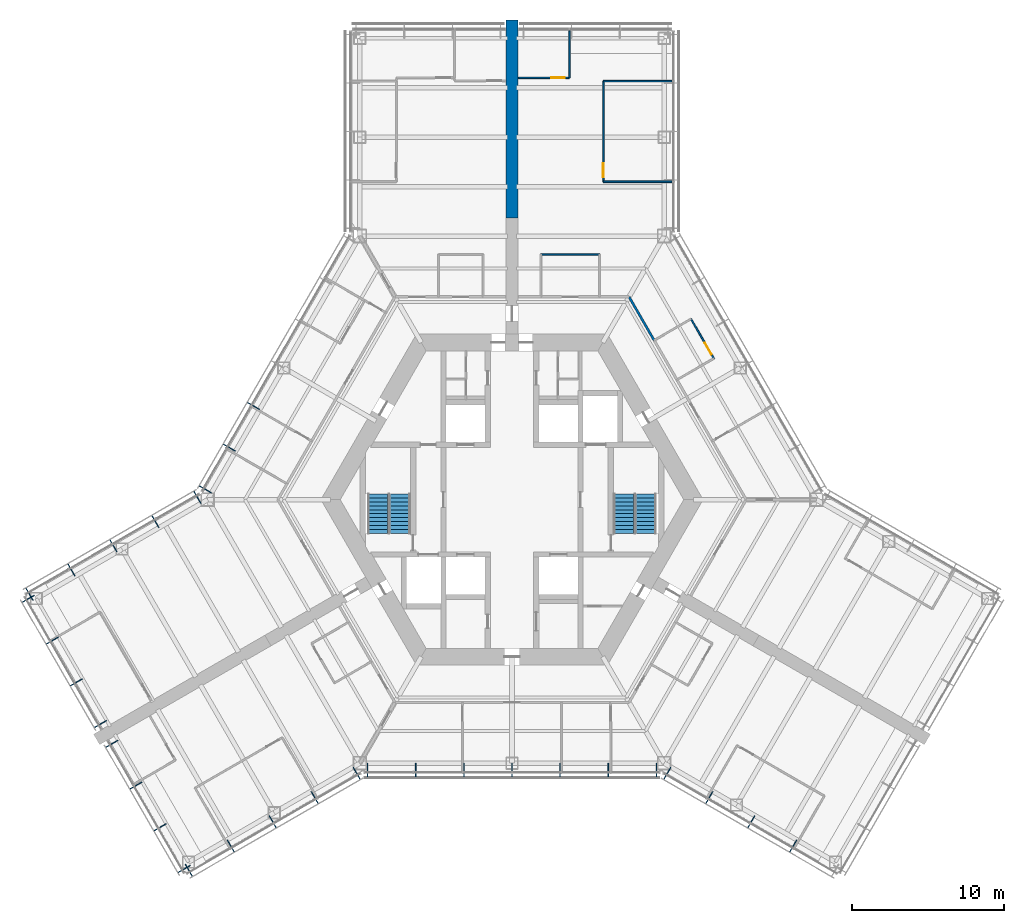
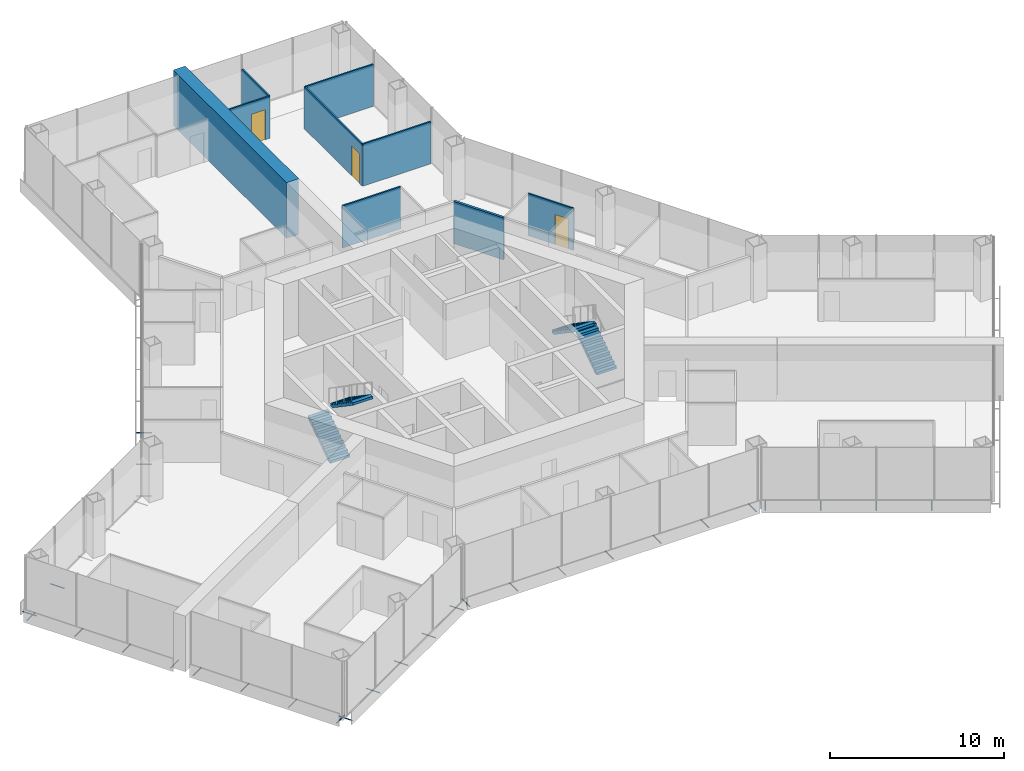
# One storey, part 16 of 19: 32 discrete accessories, 9 walls, 4 stair flights, 3 doors, 3 openings, 2 elements without a shape of their own.
"""IFC4 building model written with IfcOpenShell, lengths in metres."""

from ifc_helpers import new_model, si_unit, direction, frame, frame_2d, origin, origin_2d, place, context, subcontext, project, spatial, polyline, rectangle, hollow_circle, outline, extrude, material, layer, layer_set, material_profile, profile_set, type_object, element, fill, aggregate, save


model = new_model("IFC4")

# Units and contexts
model_context = context("Model", 3, precision=1e-05, world=origin(), true_north=direction((0.0, 1.0)))
body_context = subcontext(model_context, "Body", "Model", "MODEL_VIEW")
ifc_project = project(units=[si_unit("LENGTHUNIT", "METRE"), si_unit("AREAUNIT", "SQUARE_METRE"), si_unit("VOLUMEUNIT", "CUBIC_METRE"), si_unit("PLANEANGLEUNIT", "RADIAN"), si_unit("MASSUNIT", "GRAM", prefix="KILO")], contexts=[model_context])

# Site, building, storey
site_placement = place(None, origin())
site = spatial("IfcSite", under=ifc_project, at=site_placement, CompositionType="ELEMENT")
building_placement = place(site_placement, origin())
building = spatial("IfcBuilding", under=site, at=building_placement, Name="Kasaneha Research Tower", CompositionType="ELEMENT")
storey_placement = place(building_placement, frame((0.0, 0.0, 92.39990234375)))
storey = spatial("IfcBuildingStorey", under=building, at=storey_placement, Name="L23", CompositionType="ELEMENT", Elevation=92.39990234375)

# Wall
ifc_material_1 = material(Name="Gypsum board on steel studs, one layer each side", Category="steel")
ifc_layer_1 = layer(ifc_material_1, 0.10009765625)
ifc_layer_set_1 = layer_set([ifc_layer_1], Name="Office partition 100")
wall_type_1 = type_object("IfcWallType", Name="Office partition 100", PredefinedType="PARTITIONING", material=ifc_layer_set_1)
wall_1_placement = place(storey_placement, frame((1.89990234375, 16.125, 0.0), z_axis=(0.0, 0.0, 1.0), x_axis=(1.0, 0.0, 0.0)))
element("IfcWall", 1, at=wall_1_placement, inside=storey, type_object=wall_type_1, Name="Office partition FAE08 L23", PredefinedType="PARTITIONING", context=body_context, shape_type="SweptSolid", body=[
    extrude(rectangle(XDim=3.857177734375, YDim=0.10009765625, at=frame_2d((1.9287109375, 0.0))), origin(), (0.0, 0.0, 1.0), 2.9501953125),
])

# Wall, opening, door
wall_2_placement = place(storey_placement, frame((11.7646484375, 11.873046875, 0.0), z_axis=(0.0, 0.0, 1.0), x_axis=(0.499990139034, -0.866031096941, 0.0)))
wall_2 = element("IfcWall", 2, at=wall_2_placement, inside=storey, type_object=wall_type_1, Name="Office partition FAE12 L23", PredefinedType="PARTITIONING", context=body_context, shape_type="SweptSolid", body=[
    extrude(rectangle(XDim=3.0, YDim=0.10009765625, at=frame_2d((1.5, 0.0))), origin(), (0.0, 0.0, 1.0), 2.9501953125),
])
opening_1_placement = place(wall_2_placement, frame((1.800048828125, 0.0, 0.0)))
opening_1 = element("IfcOpeningElement", 3, at=opening_1_placement, cuts=wall_2, Name="Opening L23-D30", PredefinedType="OPENING", context=body_context, shape_type="SweptSolid", body=[
    extrude(rectangle(XDim=0.89990234375, YDim=2.10009765625, at=frame_2d((0.449951171875, 1.050048828125))), frame((0.0, 0.06005859375, 0.0), z_axis=(0.0, -1.0, 0.0), x_axis=(1.0, 0.0, 0.0)), (0.0, 0.0, 1.0), 0.1201171875),
])
ifc_material_2 = material(Name="Timber veneer", Category="wood")
door_type = type_object("IfcDoorType", Name="Office door 900x2100", OperationType="SINGLE_SWING_LEFT", PredefinedType="DOOR", material=ifc_material_2)
door_1_placement = place(opening_1_placement, origin())
door_1 = element("IfcDoor", 4, at=door_1_placement, inside=storey, type_object=door_type, Name="Pantry door L23-D30", OperationType="SINGLE_SWING_RIGHT", OverallHeight=2.10009765625, OverallWidth=0.89990234375, PredefinedType="DOOR", context=body_context, shape_type="SweptSolid", body=[
    extrude(rectangle(XDim=0.89990234375, YDim=2.10009765625, at=frame_2d((0.449951171875, 1.050048828125))), frame((0.0, 0.02490234375, 0.0), z_axis=(0.0, -1.0, 0.0), x_axis=(1.0, 0.0, 0.0)), (0.0, 0.0, 1.0), 0.050048828125),
])
fill(opening_1, door_1)

wall_3_placement = place(storey_placement, frame((6.0, 20.89111328125, 0.0), z_axis=(0.0, 0.0, 1.0), x_axis=(0.0, 1.0, 0.0)))
wall_3 = element("IfcWall", 5, at=wall_3_placement, inside=storey, type_object=wall_type_1, Name="Office partition FAE15 L23", PredefinedType="PARTITIONING", context=body_context, shape_type="SweptSolid", body=[
    extrude(rectangle(XDim=6.61962890625, YDim=0.10009765625, at=frame_2d((3.309814453125, 0.0))), origin(), (0.0, 0.0, 1.0), 2.9501953125),
])
opening_2_placement = place(wall_3_placement, frame((0.300048828125, 0.0, 0.0)))
opening_2 = element("IfcOpeningElement", 6, at=opening_2_placement, cuts=wall_3, Name="Opening L23-D32", PredefinedType="OPENING", context=body_context, shape_type="SweptSolid", body=[
    extrude(rectangle(XDim=0.89990234375, YDim=2.10009765625, at=frame_2d((0.449951171875, 1.050048828125))), frame((0.0, 0.06005859375, 0.0), z_axis=(0.0, -1.0, 0.0), x_axis=(1.0, 0.0, 0.0)), (0.0, 0.0, 1.0), 0.1201171875),
])
door_2_placement = place(opening_2_placement, origin())
door_2 = element("IfcDoor", 7, at=door_2_placement, inside=storey, type_object=door_type, Name="Meeting room door L23-D32", OperationType="SINGLE_SWING_LEFT", OverallHeight=2.10009765625, OverallWidth=0.89990234375, PredefinedType="DOOR", context=body_context, shape_type="SweptSolid", body=[
    extrude(rectangle(XDim=0.89990234375, YDim=2.10009765625, at=frame_2d((0.449951171875, 1.050048828125))), frame((0.0, 0.02490234375, 0.0), z_axis=(0.0, -1.0, 0.0), x_axis=(1.0, 0.0, 0.0)), (0.0, 0.0, 1.0), 0.050048828125),
])
fill(opening_2, door_2)

# Walls
for number, where, z_axis, x_axis, name in (
    (8, (6.0, 27.5107421875, 0.0), (0.0, 0.0, 1.0), (1.0, 0.0, 0.0), "Office partition FAE16 L23"),
    (9, (10.5, 20.89111328125, 0.0), (0.0, 0.0, 1.0), (-1.0, 0.0, 0.0), "Office partition FAE17 L23"),
):
    element("IfcWall", number, at=place(storey_placement, frame(where, z_axis=z_axis, x_axis=x_axis)), inside=storey, type_object=wall_type_1, Name=name, PredefinedType="PARTITIONING", context=body_context, shape_type="SweptSolid", body=[
        extrude(rectangle(XDim=4.5, YDim=0.10009765625, at=frame_2d((2.25, 0.0))), origin(), (0.0, 0.0, 1.0), 2.9501953125),
    ])

# Wall, opening, door
wall_4_placement = place(storey_placement, frame((3.7666015625, 27.720458984375, 0.0), z_axis=(0.0, 0.0, 1.0), x_axis=(-1.0, 0.0, 0.0)))
wall_4 = element("IfcWall", 10, at=wall_4_placement, inside=storey, type_object=wall_type_1, Name="Office partition FAE18 L23", PredefinedType="PARTITIONING", context=body_context, shape_type="SweptSolid", body=[
    extrude(rectangle(XDim=3.3466796875, YDim=0.10009765625, at=frame_2d((1.67333984375, 0.0))), origin(), (0.0, 0.0, 1.0), 2.9501953125),
])
opening_3_placement = place(wall_4_placement, frame((0.300048828125, 0.0, 0.0)))
opening_3 = element("IfcOpeningElement", 11, at=opening_3_placement, cuts=wall_4, Name="Opening L23-D33", PredefinedType="OPENING", context=body_context, shape_type="SweptSolid", body=[
    extrude(rectangle(XDim=0.89990234375, YDim=2.10009765625, at=frame_2d((0.449951171875, 1.050048828125))), frame((0.0, 0.06005859375, 0.0), z_axis=(0.0, -1.0, 0.0), x_axis=(1.0, 0.0, 0.0)), (0.0, 0.0, 1.0), 0.1201171875),
])
door_3_placement = place(opening_3_placement, origin())
door_3 = element("IfcDoor", 12, at=door_3_placement, inside=storey, type_object=door_type, Name="Workroom door L23-D33", OperationType="SINGLE_SWING_LEFT", OverallHeight=2.10009765625, OverallWidth=0.89990234375, PredefinedType="DOOR", context=body_context, shape_type="SweptSolid", body=[
    extrude(rectangle(XDim=0.89990234375, YDim=2.10009765625, at=frame_2d((0.449951171875, 1.050048828125))), frame((0.0, 0.02490234375, 0.0), z_axis=(0.0, -1.0, 0.0), x_axis=(1.0, 0.0, 0.0)), (0.0, 0.0, 1.0), 0.050048828125),
])
fill(opening_3, door_3)

# Walls
wall_5_placement = place(storey_placement, frame((3.7666015625, 30.800537109375, 0.0), z_axis=(0.0, 0.0, 1.0), x_axis=(0.0, -1.0, 0.0)))
element("IfcWall", 13, at=wall_5_placement, inside=storey, type_object=wall_type_1, Name="Office partition FAE19 L23", PredefinedType="PARTITIONING", context=body_context, shape_type="SweptSolid", body=[
    extrude(rectangle(XDim=3.080078125, YDim=0.10009765625, at=frame_2d((1.5400390625, 0.0))), origin(), (0.0, 0.0, 1.0), 2.9501953125),
])
ifc_material_3 = material(Name="Concrete Fc80", Category="concrete")
ifc_layer_2 = layer(ifc_material_3, 0.800048828125)
ifc_layer_set_2 = layer_set([ifc_layer_2], Name="Spine wall 800 Fc80")
wall_type_2 = type_object("IfcWallType", Name="Spine wall 800 Fc80", PredefinedType="SHEAR", material=ifc_layer_set_2)
wall_6_placement = place(storey_placement, frame((0.0, 18.5205078125, 0.0), z_axis=(0.0, 0.0, 1.0), x_axis=(0.0, 1.0, 0.0)))
element("IfcWall", 14, at=wall_6_placement, inside=storey, type_object=wall_type_2, Name="Spine wall A wing L23", PredefinedType="SHEAR", context=body_context, shape_type="SweptSolid", body=[
    extrude(rectangle(XDim=13.0, YDim=0.800048828125, at=frame_2d((6.5, 0.0))), origin(), (0.0, 0.0, 1.0), 3.900146484375),
])
ifc_material_4 = material(Name="Gypsum board on steel studs, two layers each side", Category="steel")
ifc_layer_3 = layer(ifc_material_4, 0.14990234375)
ifc_layer_set_3 = layer_set([ifc_layer_3], Name="Suite partition 150")
wall_type_3 = type_object("IfcWallType", Name="Suite partition 150", PredefinedType="PARTITIONING", material=ifc_layer_set_3)
wall_7_placement = place(storey_placement, frame((7.693115234375, 13.324951171875, 0.0), z_axis=(0.0, 0.0, 1.0), x_axis=(0.500008692254, -0.866020385251, 0.0)))
element("IfcWall", 15, at=wall_7_placement, inside=storey, type_object=wall_type_3, Name="Suite partition FAE06 L23", PredefinedType="PARTITIONING", context=body_context, shape_type="SweptSolid", body=[
    extrude(rectangle(XDim=3.2978515625, YDim=0.14990234375, at=frame_2d((1.64892578125, 0.0))), origin(), (0.0, 0.0, 1.0), 2.9501953125),
])

# Stair, stair flights
ifc_material_5 = material(Name="Concrete Fc24", Category="concrete")
stair_type = type_object("IfcStairType", Name="Half-turn stair 22 risers", PredefinedType="HALF_TURN_STAIR", material=ifc_material_5)
stair_1_placement = place(storey_placement, origin())
stair_1 = element("IfcStair", 16, at=stair_1_placement, inside=storey, type_object=stair_type, Name="Stair 1 L23", PredefinedType="HALF_TURN_STAIR")
ifc_material_6 = material(Name="Concrete Fc24", Category="concrete")
stair_flight_type = type_object("IfcStairFlightType", Name="Stair flight 11 risers 177.3", PredefinedType="STRAIGHT", material=ifc_material_6)
stair_flight_1_placement = place(storey_placement, frame((8.824951171875, -2.22509765625, 0.0), z_axis=(0.0, 0.0, 1.0), x_axis=(0.0, 1.0, 0.0)))
stair_flight_1 = element("IfcStairFlight", 17, at=stair_flight_1_placement, type_object=stair_flight_type, Name="ST1-22R flight 1", NumberOfRisers=11, NumberOfTreads=10, PredefinedType="STRAIGHT", RiserHeight=0.177272727, TreadLength=0.26, context=body_context, shape_type="SweptSolid", body=[
    extrude(outline(polyline([(0.0, 0.0), (0.0, 0.17724609375), (0.260009765625, 0.17724609375), (0.260009765625, 0.3544921875), (0.52001953125, 0.3544921875), (0.52001953125, 0.53173828125), (0.780029296875, 0.53173828125), (0.780029296875, 0.708984375), (1.0400390625, 0.708984375), (1.0400390625, 0.886474609375), (1.300048828125, 0.886474609375), (1.300048828125, 1.063720703125), (1.56005859375, 1.063720703125), (1.56005859375, 1.240966796875), (1.820068359375, 1.240966796875), (1.820068359375, 1.418212890625), (2.080078125, 1.418212890625), (2.080078125, 1.595458984375), (2.340087890625, 1.595458984375), (2.340087890625, 1.772705078125), (2.60009765625, 1.772705078125), (2.60009765625, 1.949951171875), (2.60009765625, 1.59130859375), (0.26611328125, 0.0), (0.0, 0.0)])), frame((0.0, 0.64990234375, 0.0), z_axis=(0.0, -1.0, 0.0), x_axis=(1.0, 0.0, 0.0)), (0.0, 0.0, 1.0), 1.300048828125),
])
stair_flight_2_placement = place(storey_placement, frame((7.324951171875, 0.375, 1.9501953125), z_axis=(0.0, 0.0, 1.0), x_axis=(0.0, -1.0, 0.0)))
stair_flight_2 = element("IfcStairFlight", 18, at=stair_flight_2_placement, type_object=stair_flight_type, Name="ST1-22R flight 2", NumberOfRisers=11, NumberOfTreads=10, PredefinedType="STRAIGHT", RiserHeight=0.177272727, TreadLength=0.26, context=body_context, shape_type="SweptSolid", body=[
    extrude(outline(polyline([(0.0, 0.0), (0.0, 0.17724609375), (0.260009765625, 0.17724609375), (0.260009765625, 0.3544921875), (0.52001953125, 0.3544921875), (0.52001953125, 0.53173828125), (0.780029296875, 0.53173828125), (0.780029296875, 0.708984375), (1.0400390625, 0.708984375), (1.0400390625, 0.886474609375), (1.300048828125, 0.886474609375), (1.300048828125, 1.063720703125), (1.56005859375, 1.063720703125), (1.56005859375, 1.240966796875), (1.820068359375, 1.240966796875), (1.820068359375, 1.418212890625), (2.080078125, 1.418212890625), (2.080078125, 1.595458984375), (2.340087890625, 1.595458984375), (2.340087890625, 1.772705078125), (2.60009765625, 1.772705078125), (2.60009765625, 1.949951171875), (2.60009765625, 1.59130859375), (0.26611328125, 0.0), (0.0, 0.0)])), frame((0.0, 0.64990234375, 0.0), z_axis=(0.0, -1.0, 0.0), x_axis=(1.0, 0.0, 0.0)), (0.0, 0.0, 1.0), 1.300048828125),
])
aggregate(stair_1, [stair_flight_1, stair_flight_2])

stair_2_placement = place(storey_placement, origin())
stair_2 = element("IfcStair", 19, at=stair_2_placement, inside=storey, type_object=stair_type, Name="Stair 2 L23", PredefinedType="HALF_TURN_STAIR")
stair_flight_3_placement = place(storey_placement, frame((-8.824951171875, -2.22509765625, 0.0), z_axis=(0.0, 0.0, 1.0), x_axis=(0.0, 1.0, 0.0)))
stair_flight_3 = element("IfcStairFlight", 20, at=stair_flight_3_placement, type_object=stair_flight_type, Name="ST2-22R flight 1", NumberOfRisers=11, NumberOfTreads=10, PredefinedType="STRAIGHT", RiserHeight=0.177272727, TreadLength=0.26, context=body_context, shape_type="SweptSolid", body=[
    extrude(outline(polyline([(0.0, 0.0), (0.0, 0.17724609375), (0.260009765625, 0.17724609375), (0.260009765625, 0.3544921875), (0.52001953125, 0.3544921875), (0.52001953125, 0.53173828125), (0.780029296875, 0.53173828125), (0.780029296875, 0.708984375), (1.0400390625, 0.708984375), (1.0400390625, 0.886474609375), (1.300048828125, 0.886474609375), (1.300048828125, 1.063720703125), (1.56005859375, 1.063720703125), (1.56005859375, 1.240966796875), (1.820068359375, 1.240966796875), (1.820068359375, 1.418212890625), (2.080078125, 1.418212890625), (2.080078125, 1.595458984375), (2.340087890625, 1.595458984375), (2.340087890625, 1.772705078125), (2.60009765625, 1.772705078125), (2.60009765625, 1.949951171875), (2.60009765625, 1.59130859375), (0.26611328125, 0.0), (0.0, 0.0)])), frame((0.0, 0.64990234375, 0.0), z_axis=(0.0, -1.0, 0.0), x_axis=(1.0, 0.0, 0.0)), (0.0, 0.0, 1.0), 1.300048828125),
])
stair_flight_4_placement = place(storey_placement, frame((-7.324951171875, 0.375, 1.9501953125), z_axis=(0.0, 0.0, 1.0), x_axis=(0.0, -1.0, 0.0)))
stair_flight_4 = element("IfcStairFlight", 21, at=stair_flight_4_placement, type_object=stair_flight_type, Name="ST2-22R flight 2", NumberOfRisers=11, NumberOfTreads=10, PredefinedType="STRAIGHT", RiserHeight=0.177272727, TreadLength=0.26, context=body_context, shape_type="SweptSolid", body=[
    extrude(outline(polyline([(0.0, 0.0), (0.0, 0.17724609375), (0.260009765625, 0.17724609375), (0.260009765625, 0.3544921875), (0.52001953125, 0.3544921875), (0.52001953125, 0.53173828125), (0.780029296875, 0.53173828125), (0.780029296875, 0.708984375), (1.0400390625, 0.708984375), (1.0400390625, 0.886474609375), (1.300048828125, 0.886474609375), (1.300048828125, 1.063720703125), (1.56005859375, 1.063720703125), (1.56005859375, 1.240966796875), (1.820068359375, 1.240966796875), (1.820068359375, 1.418212890625), (2.080078125, 1.418212890625), (2.080078125, 1.595458984375), (2.340087890625, 1.595458984375), (2.340087890625, 1.772705078125), (2.60009765625, 1.772705078125), (2.60009765625, 1.949951171875), (2.60009765625, 1.59130859375), (0.26611328125, 0.0), (0.0, 0.0)])), frame((0.0, 0.64990234375, 0.0), z_axis=(0.0, -1.0, 0.0), x_axis=(1.0, 0.0, 0.0)), (0.0, 0.0, 1.0), 1.300048828125),
])
aggregate(stair_2, [stair_flight_3, stair_flight_4])

# Discrete accessories
ifc_material_7 = material(Name="Steel STK400", Category="steel")
ifc_material_profile = material_profile(ifc_material_7, hollow_circle(Radius=0.0380859375, WallThickness=0.00390625, at=origin_2d()), Name="CHS-76.3x4.0")
ifc_profile_set = profile_set([ifc_material_profile], Name="Steel STK400")
discrete_accessory_type = type_object("IfcDiscreteAccessoryType", Name="Screen bracket CHS-76.3x4.0", PredefinedType="BRACKET", material=ifc_profile_set)
discrete_accessory_1_placement = place(storey_placement, frame((-21.474853515625, -23.945556640625, -0.2998046875), z_axis=(0.500021113727, -0.866013213425, 0.0), x_axis=(0.866013213425, 0.500021113727, 0.0)))
element("IfcDiscreteAccessory", 22, at=discrete_accessory_1_placement, inside=storey, type_object=discrete_accessory_type, Name="Screen bracket 1", PredefinedType="BRACKET", context=body_context, shape_type="SweptSolid", body=[
    extrude(hollow_circle(Radius=0.0380859375, WallThickness=0.00390625, at=origin_2d()), origin(), (0.0, 0.0, 1.0), 0.919921875),
])
discrete_accessory_2_placement = place(storey_placement, frame((-18.716796875, -22.35302734375, -0.2998046875), z_axis=(0.500105201737, -0.865964657013, 0.0), x_axis=(0.865964657013, 0.500105201737, 0.0)))
element("IfcDiscreteAccessory", 23, at=discrete_accessory_2_placement, inside=storey, type_object=discrete_accessory_type, Name="Screen bracket 2", PredefinedType="BRACKET", context=body_context, shape_type="SweptSolid", body=[
    extrude(hollow_circle(Radius=0.0380859375, WallThickness=0.00390625, at=origin_2d()), origin(), (0.0, 0.0, 1.0), 0.920166015625),
])
discrete_accessory_3_placement = place(storey_placement, frame((-15.95849609375, -20.7607421875, -0.2998046875), z_axis=(0.500021113727, -0.866013213425, 0.0), x_axis=(0.866013213425, 0.500021113727, 0.0)))
element("IfcDiscreteAccessory", 24, at=discrete_accessory_3_placement, inside=storey, type_object=discrete_accessory_type, Name="Screen bracket 3", PredefinedType="BRACKET", context=body_context, shape_type="SweptSolid", body=[
    extrude(hollow_circle(Radius=0.0380859375, WallThickness=0.00390625, at=origin_2d()), origin(), (0.0, 0.0, 1.0), 0.919921875),
])
discrete_accessory_4_placement = place(storey_placement, frame((-13.200439453125, -19.168212890625, -0.2998046875), z_axis=(0.499906209203, -0.866079547155, 0.0), x_axis=(0.866079547155, 0.499906209203, 0.0)))
element("IfcDiscreteAccessory", 25, at=discrete_accessory_4_placement, inside=storey, type_object=discrete_accessory_type, Name="Screen bracket 4", PredefinedType="BRACKET", context=body_context, shape_type="SweptSolid", body=[
    extrude(hollow_circle(Radius=0.0380859375, WallThickness=0.00390625, at=origin_2d()), origin(), (0.0, 0.0, 1.0), 0.920166015625),
])
for number, where, z_axis, x_axis, name in (
    (26, (-10.4423828125, -17.575927734375, -0.2998046875), (0.500021113727, -0.866013213425, 0.0), (0.866013213425, 0.500021113727, 0.0), "Screen bracket 5"),
    (27, (-9.4892578125, -17.320556640625, -0.2998046875), (0.0, -1.0, 0.0), (1.0, 0.0, 0.0), "Screen bracket 1"),
    (28, (-6.326171875, -17.320556640625, -0.2998046875), (0.0, -1.0, 0.0), (1.0, 0.0, 0.0), "Screen bracket 2"),
    (29, (-3.1630859375, -17.320556640625, -0.2998046875), (0.0, -1.0, 0.0), (1.0, 0.0, 0.0), "Screen bracket 3"),
    (30, (0.0, -17.320556640625, -0.2998046875), (0.0, -1.0, 0.0), (1.0, 0.0, 0.0), "Screen bracket 4"),
    (31, (3.1630859375, -17.320556640625, -0.2998046875), (0.0, -1.0, 0.0), (1.0, 0.0, 0.0), "Screen bracket 5"),
    (32, (6.326171875, -17.320556640625, -0.2998046875), (0.0, -1.0, 0.0), (1.0, 0.0, 0.0), "Screen bracket 6"),
    (33, (9.4892578125, -17.320556640625, -0.2998046875), (0.0, -1.0, 0.0), (1.0, 0.0, 0.0), "Screen bracket 7"),
    (34, (10.4423828125, -17.575927734375, -0.2998046875), (-0.500021113727, -0.866013213425, 0.0), (0.866013213425, -0.500021113727, 0.0), "Screen bracket 1"),
):
    element("IfcDiscreteAccessory", number, at=place(storey_placement, frame(where, z_axis=z_axis, x_axis=x_axis)), inside=storey, type_object=discrete_accessory_type, Name=name, PredefinedType="BRACKET", context=body_context, shape_type="SweptSolid", body=[
        extrude(hollow_circle(Radius=0.0380859375, WallThickness=0.00390625, at=origin_2d()), origin(), (0.0, 0.0, 1.0), 0.919921875),
    ])
discrete_accessory_5_placement = place(storey_placement, frame((13.200439453125, -19.168212890625, -0.2998046875), z_axis=(-0.499906209203, -0.866079547155, 0.0), x_axis=(0.866079547155, -0.499906209203, 0.0)))
element("IfcDiscreteAccessory", 35, at=discrete_accessory_5_placement, inside=storey, type_object=discrete_accessory_type, Name="Screen bracket 2", PredefinedType="BRACKET", context=body_context, shape_type="SweptSolid", body=[
    extrude(hollow_circle(Radius=0.0380859375, WallThickness=0.00390625, at=origin_2d()), origin(), (0.0, 0.0, 1.0), 0.920166015625),
])
discrete_accessory_6_placement = place(storey_placement, frame((15.95849609375, -20.7607421875, -0.2998046875), z_axis=(-0.500021113727, -0.866013213425, 0.0), x_axis=(0.866013213425, -0.500021113727, 0.0)))
element("IfcDiscreteAccessory", 36, at=discrete_accessory_6_placement, inside=storey, type_object=discrete_accessory_type, Name="Screen bracket 3", PredefinedType="BRACKET", context=body_context, shape_type="SweptSolid", body=[
    extrude(hollow_circle(Radius=0.0380859375, WallThickness=0.00390625, at=origin_2d()), origin(), (0.0, 0.0, 1.0), 0.919921875),
])
discrete_accessory_7_placement = place(storey_placement, frame((18.716796875, -22.35302734375, -0.2998046875), z_axis=(-0.500105201737, -0.865964657013, 0.0), x_axis=(0.865964657013, -0.500105201737, 0.0)))
element("IfcDiscreteAccessory", 37, at=discrete_accessory_7_placement, inside=storey, type_object=discrete_accessory_type, Name="Screen bracket 4", PredefinedType="BRACKET", context=body_context, shape_type="SweptSolid", body=[
    extrude(hollow_circle(Radius=0.0380859375, WallThickness=0.00390625, at=origin_2d()), origin(), (0.0, 0.0, 1.0), 0.920166015625),
])
for number, where, z_axis, x_axis, name in (
    (38, (-16.58154296875, 5.9208984375, -0.2998046875), (-0.866013213425, 0.500021113727, 0.0), (-0.500021113727, -0.866013213425, 0.0), "Screen bracket 5"),
    (39, (-18.1630859375, 3.181640625, -0.2998046875), (-0.866013213425, 0.500021113727, 0.0), (-0.500021113727, -0.866013213425, 0.0), "Screen bracket 6"),
    (40, (-19.74462890625, 0.4423828125, -0.2998046875), (-0.866013213425, 0.500021113727, 0.0), (-0.500021113727, -0.866013213425, 0.0), "Screen bracket 7"),
    (41, (-20.4423828125, -0.25537109375, -0.2998046875), (-0.500021113727, 0.866013213425, 0.0), (-0.866013213425, -0.500021113727, 0.0), "Screen bracket 1"),
):
    element("IfcDiscreteAccessory", number, at=place(storey_placement, frame(where, z_axis=z_axis, x_axis=x_axis)), inside=storey, type_object=discrete_accessory_type, Name=name, PredefinedType="BRACKET", context=body_context, shape_type="SweptSolid", body=[
        extrude(hollow_circle(Radius=0.0380859375, WallThickness=0.00390625, at=origin_2d()), origin(), (0.0, 0.0, 1.0), 0.919921875),
    ])
discrete_accessory_8_placement = place(storey_placement, frame((-23.200439453125, -1.847900390625, -0.2998046875), z_axis=(-0.499906209203, 0.866079547155, 0.0), x_axis=(-0.866079547155, -0.499906209203, 0.0)))
element("IfcDiscreteAccessory", 42, at=discrete_accessory_8_placement, inside=storey, type_object=discrete_accessory_type, Name="Screen bracket 2", PredefinedType="BRACKET", context=body_context, shape_type="SweptSolid", body=[
    extrude(hollow_circle(Radius=0.0380859375, WallThickness=0.00390625, at=origin_2d()), origin(), (0.0, 0.0, 1.0), 0.920166015625),
])
discrete_accessory_9_placement = place(storey_placement, frame((-25.95849609375, -3.440185546875, -0.2998046875), z_axis=(-0.500220121494, 0.865898279276, 0.0), x_axis=(-0.865898279276, -0.500220121494, 0.0)))
element("IfcDiscreteAccessory", 43, at=discrete_accessory_9_placement, inside=storey, type_object=discrete_accessory_type, Name="Screen bracket 3", PredefinedType="BRACKET", context=body_context, shape_type="SweptSolid", body=[
    extrude(hollow_circle(Radius=0.0380859375, WallThickness=0.00390625, at=origin_2d()), origin(), (0.0, 0.0, 1.0), 0.919921875),
])
discrete_accessory_10_placement = place(storey_placement, frame((-28.716796875, -5.03271484375, -0.2998046875), z_axis=(-0.499906209203, 0.866079547155, 0.0), x_axis=(-0.866079547155, -0.499906209203, 0.0)))
element("IfcDiscreteAccessory", 44, at=discrete_accessory_10_placement, inside=storey, type_object=discrete_accessory_type, Name="Screen bracket 4", PredefinedType="BRACKET", context=body_context, shape_type="SweptSolid", body=[
    extrude(hollow_circle(Radius=0.0380859375, WallThickness=0.00390625, at=origin_2d()), origin(), (0.0, 0.0, 1.0), 0.920166015625),
])
discrete_accessory_11_placement = place(storey_placement, frame((-31.474853515625, -6.625, -0.2998046875), z_axis=(-0.500021113727, 0.866013213425, 0.0), x_axis=(-0.866013213425, -0.500021113727, 0.0)))
element("IfcDiscreteAccessory", 45, at=discrete_accessory_11_placement, inside=storey, type_object=discrete_accessory_type, Name="Screen bracket 5", PredefinedType="BRACKET", context=body_context, shape_type="SweptSolid", body=[
    extrude(hollow_circle(Radius=0.0380859375, WallThickness=0.00390625, at=origin_2d()), origin(), (0.0, 0.0, 1.0), 0.919921875),
])
discrete_accessory_12_placement = place(storey_placement, frame((-31.38330078125, -6.283447265625, -0.2998046875), z_axis=(-0.866079547155, -0.499906209203, 0.0), x_axis=(0.499906209203, -0.866079547155, 0.0)))
element("IfcDiscreteAccessory", 46, at=discrete_accessory_12_placement, inside=storey, type_object=discrete_accessory_type, Name="Screen bracket 1", PredefinedType="BRACKET", context=body_context, shape_type="SweptSolid", body=[
    extrude(hollow_circle(Radius=0.0380859375, WallThickness=0.00390625, at=origin_2d()), origin(), (0.0, 0.0, 1.0), 0.920166015625),
])
discrete_accessory_13_placement = place(storey_placement, frame((-29.800048828125, -9.02587890625, -0.2998046875), z_axis=(-0.866013213425, -0.500021113727, 0.0), x_axis=(0.500021113727, -0.866013213425, 0.0)))
element("IfcDiscreteAccessory", 47, at=discrete_accessory_13_placement, inside=storey, type_object=discrete_accessory_type, Name="Screen bracket 2", PredefinedType="BRACKET", context=body_context, shape_type="SweptSolid", body=[
    extrude(hollow_circle(Radius=0.0380859375, WallThickness=0.00390625, at=origin_2d()), origin(), (0.0, 0.0, 1.0), 0.919921875),
])
for number, where, z_axis, x_axis, name in (
    (48, (-28.216552734375, -11.768310546875, -0.2998046875), (-0.866079547155, -0.499906209203, 0.0), (0.499906209203, -0.866079547155, 0.0), "Screen bracket 3"),
    (49, (-26.63330078125, -14.5107421875, -0.2998046875), (-0.866079547155, -0.499906209203, 0.0), (0.499906209203, -0.866079547155, 0.0), "Screen bracket 4"),
    (50, (-25.88330078125, -15.809814453125, -0.2998046875), (-0.866079547155, -0.499906209203, 0.0), (0.499906209203, -0.866079547155, 0.0), "Screen bracket 1"),
):
    element("IfcDiscreteAccessory", number, at=place(storey_placement, frame(where, z_axis=z_axis, x_axis=x_axis)), inside=storey, type_object=discrete_accessory_type, Name=name, PredefinedType="BRACKET", context=body_context, shape_type="SweptSolid", body=[
        extrude(hollow_circle(Radius=0.0380859375, WallThickness=0.00390625, at=origin_2d()), origin(), (0.0, 0.0, 1.0), 0.920166015625),
    ])
discrete_accessory_14_placement = place(storey_placement, frame((-24.300048828125, -18.55224609375, -0.2998046875), z_axis=(-0.866013213425, -0.500021113727, 0.0), x_axis=(0.500021113727, -0.866013213425, 0.0)))
element("IfcDiscreteAccessory", 51, at=discrete_accessory_14_placement, inside=storey, type_object=discrete_accessory_type, Name="Screen bracket 2", PredefinedType="BRACKET", context=body_context, shape_type="SweptSolid", body=[
    extrude(hollow_circle(Radius=0.0380859375, WallThickness=0.00390625, at=origin_2d()), origin(), (0.0, 0.0, 1.0), 0.919921875),
])
for number, where, z_axis, x_axis, name in (
    (52, (-22.716552734375, -21.294677734375, -0.2998046875), (-0.866079547155, -0.499906209203, 0.0), (0.499906209203, -0.866079547155, 0.0), "Screen bracket 3"),
    (53, (-21.13330078125, -24.037109375, -0.2998046875), (-0.866079547155, -0.499906209203, 0.0), (0.499906209203, -0.866079547155, 0.0), "Screen bracket 4"),
):
    element("IfcDiscreteAccessory", number, at=place(storey_placement, frame(where, z_axis=z_axis, x_axis=x_axis)), inside=storey, type_object=discrete_accessory_type, Name=name, PredefinedType="BRACKET", context=body_context, shape_type="SweptSolid", body=[
        extrude(hollow_circle(Radius=0.0380859375, WallThickness=0.00390625, at=origin_2d()), origin(), (0.0, 0.0, 1.0), 0.920166015625),
    ])

save(model, "model.ifc")
